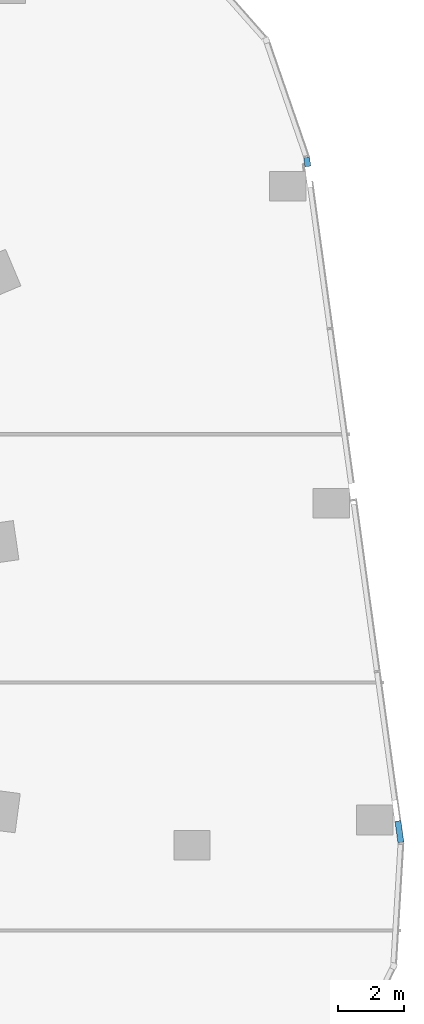
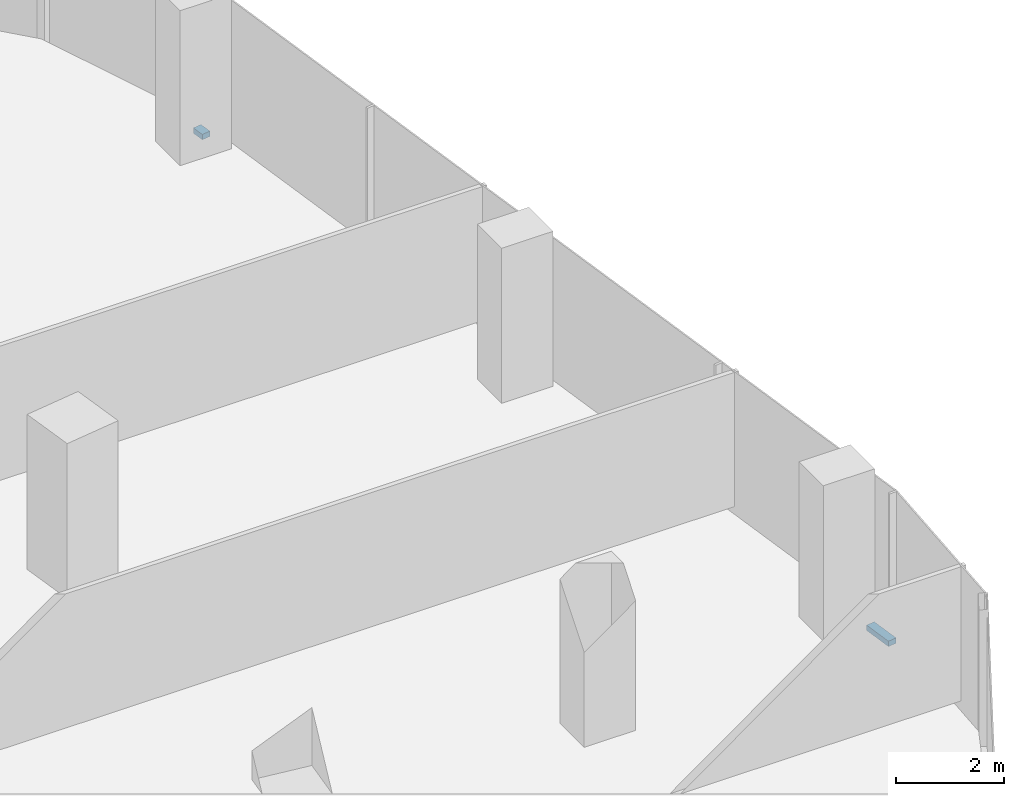
# One storey, part 12 of 27: 2 members, 1 element without a shape of its own.
"""IFC4 building model written with IfcOpenShell, lengths in metres."""

from ifc_helpers import new_model, si_unit, direction, frame, origin, origin_2d, place, context, subcontext, project, spatial, rectangle, extrude, material, material_profile, profile_set, type_object, element, aggregate, save


model = new_model("IFC4")

# Units and contexts
model_context = context("Model", 3, precision=1e-05, world=origin(), true_north=direction((0.0, 1.0)))
body_context = subcontext(model_context, "Body", "Model", "MODEL_VIEW")
ifc_project = project(units=[si_unit("LENGTHUNIT", "METRE"), si_unit("AREAUNIT", "SQUARE_METRE"), si_unit("VOLUMEUNIT", "CUBIC_METRE"), si_unit("PLANEANGLEUNIT", "RADIAN"), si_unit("MASSUNIT", "GRAM", prefix="KILO")], contexts=[model_context])

# Site, building, storey
site_placement = place(None, origin())
site = spatial("IfcSite", under=ifc_project, at=site_placement, CompositionType="ELEMENT")
building_placement = place(site_placement, origin())
building = spatial("IfcBuilding", under=site, at=building_placement, Name="Orlundy Tower", CompositionType="ELEMENT")
storey_placement = place(building_placement, frame((0.0, 0.0, 202.60009765625)))
storey = spatial("IfcBuildingStorey", under=building, at=storey_placement, Name="L53", CompositionType="ELEMENT", Elevation=202.60009765625)

# Curtain wall, members
ifc_material_1 = material(Name="Aluminium bronze anodised", Category="aluminium")
curtain_wall_type = type_object("IfcCurtainWallType", Name="CW1 wall", PredefinedType="NOTDEFINED", material=ifc_material_1)
curtain_wall_placement = place(storey_placement, origin())
curtain_wall = element("IfcCurtainWall", 1, at=curtain_wall_placement, inside=storey, type_object=curtain_wall_type, Name="CW1 run 011", PredefinedType="NOTDEFINED")
ifc_material_2 = material(Name="Aluminium bronze anodised", Category="aluminium")
ifc_material_profile = material_profile(ifc_material_2, rectangle(XDim=0.179931640625, YDim=0.1201171875, at=origin_2d()), Name="CW1 transom 180x120")
ifc_profile_set = profile_set([ifc_material_profile], Name="Aluminium bronze anodised")
member_type = type_object("IfcMemberType", Name="CW1 transom 180x120", PredefinedType="USERDEFINED", material=ifc_profile_set)
member_1_placement = place(storey_placement, frame((38.782470703125, 15.918212890625, -0.360107421875), z_axis=(0.136031690974, -0.990704486237, 0.0), x_axis=(0.990704486237, 0.136031690974, 0.0)))
member_1 = element("IfcMember", 2, at=member_1_placement, type_object=member_type, Name="CW1 transom", ObjectType="TRANSOM", PredefinedType="USERDEFINED", context=body_context, shape_type="SweptSolid", body=[
    extrude(rectangle(XDim=0.179931640625, YDim=0.1201171875, at=origin_2d()), origin(), (0.0, 0.0, 1.0), 0.272705078125),
])
member_2_placement = place(storey_placement, frame((41.550048828125, -4.19970703125, -0.360107421875), z_axis=(0.136136648768, -0.990690069024, 0.0), x_axis=(0.990690069024, 0.136136648768, 0.0)))
member_2 = element("IfcMember", 3, at=member_2_placement, type_object=member_type, Name="CW1 transom", ObjectType="TRANSOM", PredefinedType="USERDEFINED", context=body_context, shape_type="SweptSolid", body=[
    extrude(rectangle(XDim=0.179931640625, YDim=0.1201171875, at=origin_2d()), origin(), (0.0, 0.0, 1.0), 0.659912109375),
])
aggregate(curtain_wall, [member_1, member_2])

save(model, "model.ifc")
